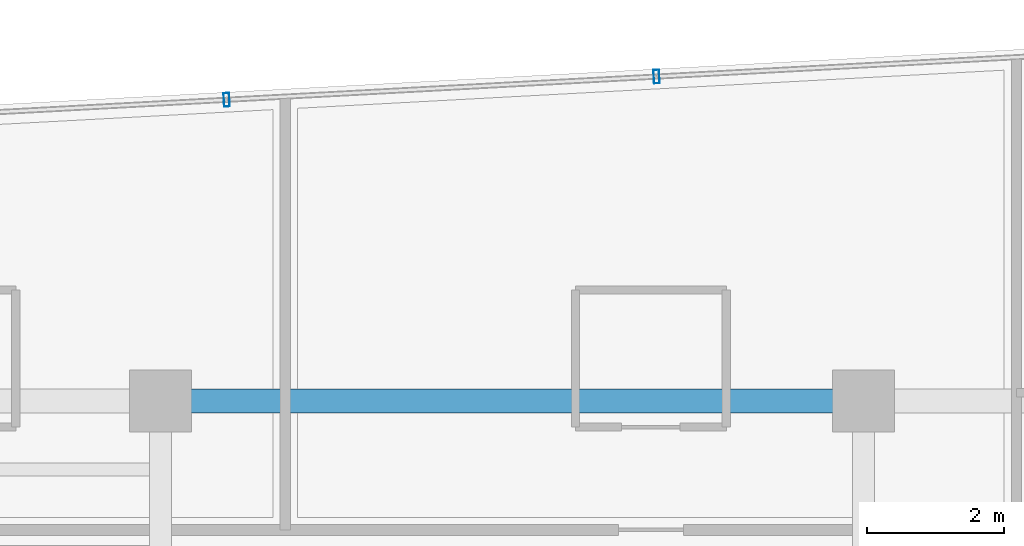
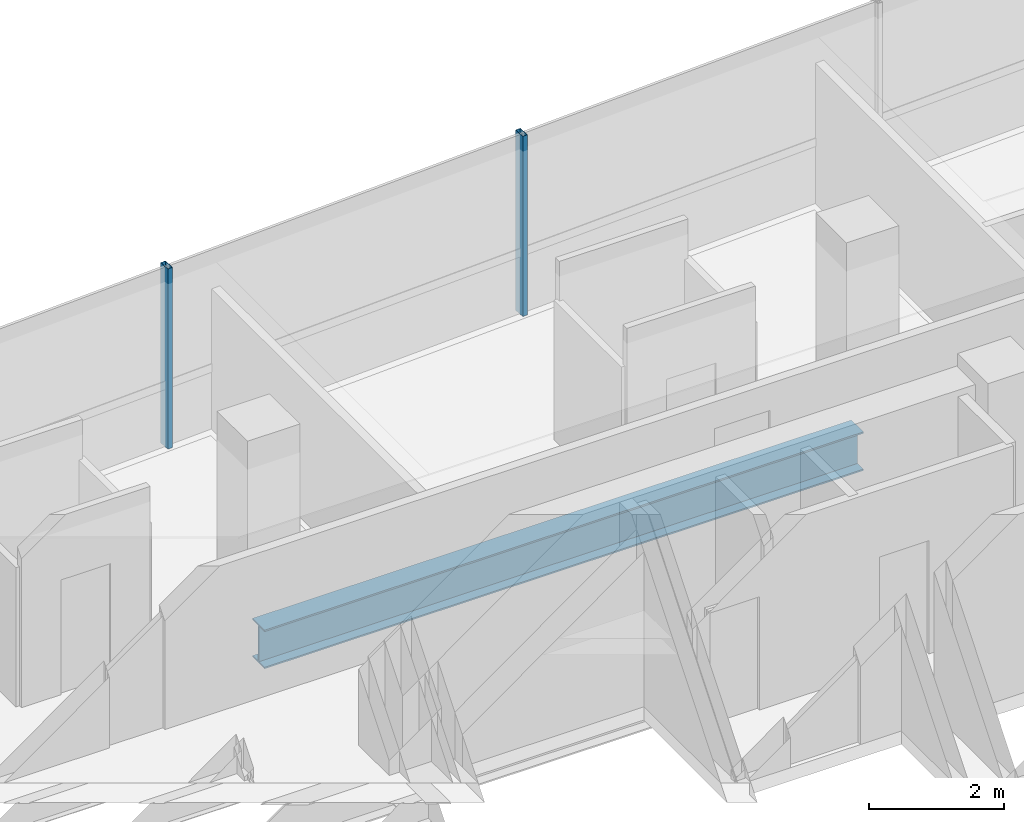
# One storey, part 12 of 22: 2 members, 1 beam, 1 element without a shape of its own.
"""IFC4 building model written with IfcOpenShell, lengths in metres."""

from ifc_helpers import new_model, si_unit, direction, frame, origin, origin_2d, place, context, subcontext, project, spatial, hollow_rectangle, i_section, extrude, source, transform, mapped, material, material_profile, profile_set, type_object, element, aggregate, save


model = new_model("IFC4")

# Units and contexts
model_context = context("Model", 3, precision=1e-05, world=origin(), true_north=direction((0.0, 1.0)))
body_context = subcontext(model_context, "Body", "Model", "MODEL_VIEW")
ifc_project = project(units=[si_unit("LENGTHUNIT", "METRE"), si_unit("AREAUNIT", "SQUARE_METRE"), si_unit("VOLUMEUNIT", "CUBIC_METRE"), si_unit("PLANEANGLEUNIT", "RADIAN"), si_unit("MASSUNIT", "GRAM", prefix="KILO")], contexts=[model_context])

# Site, building, storey
site_placement = place(None, origin())
site = spatial("IfcSite", under=ifc_project, at=site_placement, CompositionType="ELEMENT")
building_placement = place(site_placement, origin())
building = spatial("IfcBuilding", under=site, at=building_placement, Name="Valdorenza Pilgrim Sanctuary Tower", CompositionType="ELEMENT")
storey_placement = place(building_placement, frame((0.0, 0.0, 212.5)))
storey = spatial("IfcBuildingStorey", under=building, at=storey_placement, Name="L54", CompositionType="ELEMENT", Elevation=212.5)

# Beam
ifc_material_1 = material(Name="Steel ASTM A992 Grade 50", Category="steel")
ifc_material_profile_1 = material_profile(ifc_material_1, i_section(OverallWidth=0.35595703125, OverallDepth=0.700927734375, WebThickness=0.016845703125, FlangeThickness=0.02734375, at=origin_2d()), Name="W27X161")
ifc_profile_set_1 = profile_set([ifc_material_profile_1], Name="Steel ASTM A992 Grade 50")
beam_type = type_object("IfcBeamType", Name="STR-BM-GRD-W27", PredefinedType="BEAM", material=ifc_profile_set_1)
shared_shape_1 = source(origin(), body_context, "Body", "SweptSolid", [
    extrude(i_section(OverallWidth=0.35595703125, OverallDepth=0.700927734375, WebThickness=0.016845703125, FlangeThickness=0.02734375, at=origin_2d()), origin(), (0.0, 0.0, 1.0), 10.25),
])
beam_placement = place(storey_placement, frame((-22.64990234375, 14.800048828125, -0.590576171875), z_axis=(1.0, 0.0, 0.0), x_axis=(0.0, 1.0, 0.0)))
element("IfcBeam", 1, at=beam_placement, inside=storey, type_object=beam_type, Name="L54 Floor Girder CA-XC-N2", PredefinedType="BEAM", context=body_context, shape_type="MappedRepresentation", body=[
    mapped(shared_shape_1, transform((0.0, 0.0, 0.0), x_axis=(1.0, 0.0, 0.0), y_axis=(0.0, 1.0, 0.0), z_axis=(0.0, 0.0, 1.0), scale=1.0)),
])

# Curtain wall, members
ifc_material_2 = material(Name="Curtain-wall IGU glazing", Category="glass")
curtain_wall_type = type_object("IfcCurtainWallType", Name="CW-SYS-02", PredefinedType="NOTDEFINED", material=ifc_material_2)
curtain_wall_placement = place(storey_placement, origin())
curtain_wall = element("IfcCurtainWall", 2, at=curtain_wall_placement, inside=storey, type_object=curtain_wall_type, Name="L54 Curtain Wall CW-L54-1-6", PredefinedType="NOTDEFINED")
ifc_material_3 = material(Name="Anodised aluminium AW-6060", Category="aluminium")
ifc_material_profile_2 = material_profile(ifc_material_3, hollow_rectangle(XDim=0.0849609375, YDim=0.199951171875, WallThickness=0.0048828125, at=origin_2d()), Name="ALU-M 200x85x5")
ifc_profile_set_2 = profile_set([ifc_material_profile_2], Name="Anodised aluminium AW-6060")
member_type = type_object("IfcMemberType", Name="CW-MUL-02", PredefinedType="MULLION", material=ifc_profile_set_2)
shared_shape_2 = source(origin(), body_context, "Body", "SweptSolid", [
    extrude(hollow_rectangle(XDim=0.0849609375, YDim=0.199951171875, WallThickness=0.0048828125, at=origin_2d()), origin(), (0.0, 0.0, 1.0), 3.260009765625),
])
member_1_placement = place(storey_placement, frame((-21.686279296875, 19.1923828125, 0.0), z_axis=(0.0, 0.0, 1.0), x_axis=(0.998547034311, 0.053887106711, 0.0)))
member_1 = element("IfcMember", 3, at=member_1_placement, type_object=member_type, Name="CW-L54-1-6 Mullion 2", PredefinedType="MULLION", context=body_context, shape_type="MappedRepresentation", body=[
    mapped(shared_shape_2, transform((0.0, 0.0, 0.0), x_axis=(1.0, 0.0, 0.0), y_axis=(0.0, 1.0, 0.0), z_axis=(0.0, 0.0, 1.0), scale=1.0)),
])
member_2_placement = place(storey_placement, frame((-15.4169921875, 19.531005859375, 0.0), z_axis=(0.0, 0.0, 1.0), x_axis=(0.998547034311, 0.053887106711, 0.0)))
member_2 = element("IfcMember", 4, at=member_2_placement, type_object=member_type, Name="CW-L54-1-6 Mullion 3", PredefinedType="MULLION", context=body_context, shape_type="MappedRepresentation", body=[
    mapped(shared_shape_2, transform((0.0, 0.0, 0.0), x_axis=(1.0, 0.0, 0.0), y_axis=(0.0, 1.0, 0.0), z_axis=(0.0, 0.0, 1.0), scale=1.0)),
])
aggregate(curtain_wall, [member_1, member_2])

save(model, "model.ifc")
